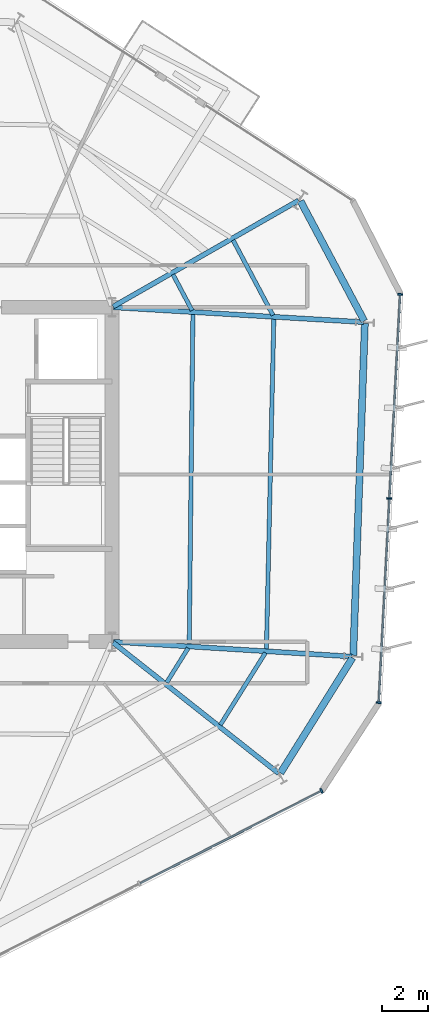
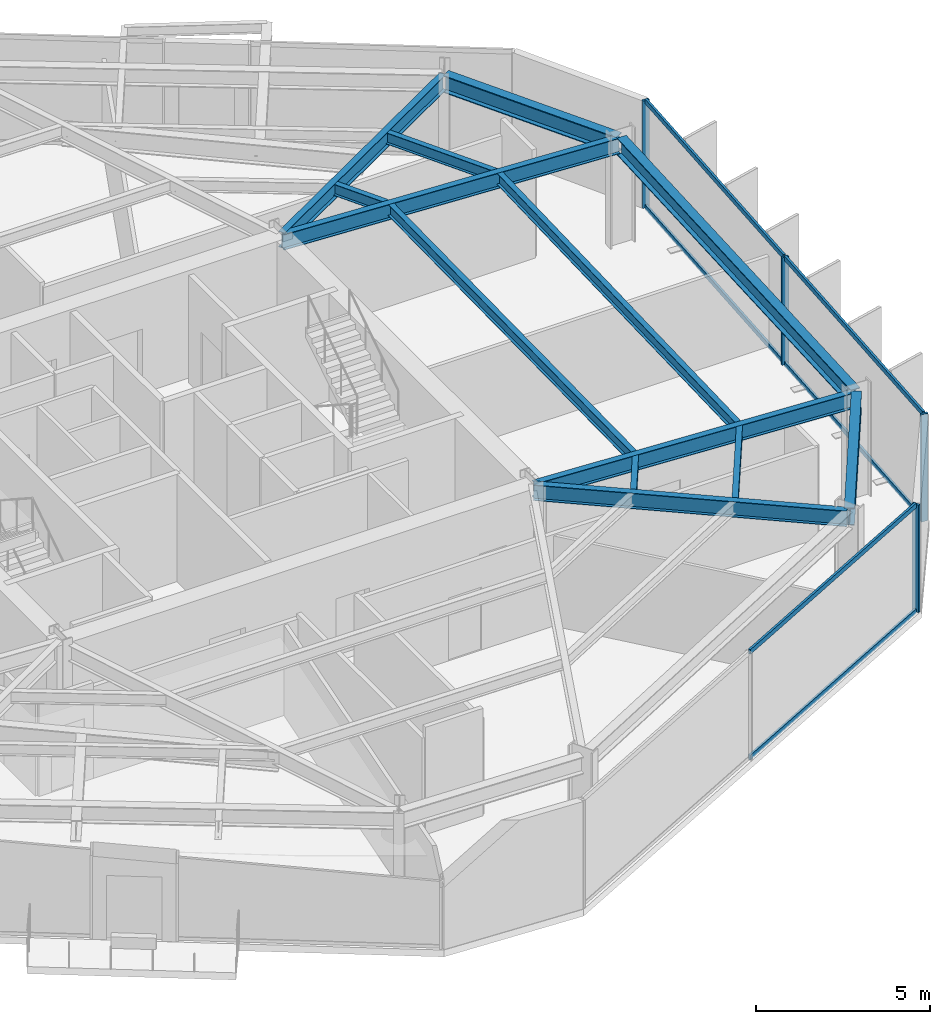
# One storey, part 4 of 10: 13 beams, 10 members, 2 elements without a shape of their own.
"""IFC4 building model written with IfcOpenShell, lengths in metres."""

from ifc_helpers import new_model, si_unit, direction, frame, origin, origin_2d, place, context, subcontext, project, spatial, rectangle, i_section, extrude, material, layer, layer_set, material_profile, profile_set, type_object, element, aggregate, save


model = new_model("IFC4")

# Units and contexts
model_context = context("Model", 3, precision=1e-05, world=origin(), true_north=direction((0.0, 1.0)))
body_context = subcontext(model_context, "Body", "Model", "MODEL_VIEW")
ifc_project = project(units=[si_unit("LENGTHUNIT", "METRE"), si_unit("AREAUNIT", "SQUARE_METRE"), si_unit("VOLUMEUNIT", "CUBIC_METRE"), si_unit("PLANEANGLEUNIT", "RADIAN"), si_unit("MASSUNIT", "GRAM", prefix="KILO")], contexts=[model_context])

# Site, building, storey
site_placement = place(None, origin())
site = spatial("IfcSite", under=ifc_project, at=site_placement, CompositionType="ELEMENT")
building_placement = place(site_placement, origin())
building = spatial("IfcBuilding", under=site, at=building_placement, Name="Kranzbogen Civic Tower", CompositionType="ELEMENT")
storey_placement = place(building_placement, frame((0.0, 0.0, 130.39990234375)))
storey = spatial("IfcBuildingStorey", under=building, at=storey_placement, Name="L31", CompositionType="ELEMENT", Elevation=130.39990234375)

# Curtain wall, member
ifc_material_1 = material(Name="Pale Anodised Aluminium", Category="aluminium")
ifc_layer = layer(ifc_material_1, 0.219970703125, Name="Pale Anodised Aluminium")
ifc_layer_set = layer_set([ifc_layer], Name="Pale Anodised Aluminium")
curtain_wall_type = type_object("IfcCurtainWallType", Name="Zone 2 Stick Curtain Wall System CW-03", PredefinedType="USERDEFINED", material=ifc_layer_set)
curtain_wall_1_placement = place(storey_placement, origin())
curtain_wall_1 = element("IfcCurtainWall", 1, at=curtain_wall_1_placement, inside=storey, type_object=curtain_wall_type, Name="L31 curtain wall CW-L31-F5", ObjectType="STICK CURTAIN WALL", PredefinedType="USERDEFINED")
ifc_material_profile_1 = material_profile(ifc_material_1, rectangle(XDim=0.074951171875, YDim=0.219970703125, at=origin_2d()), Name="ALU-M 75x220")
ifc_profile_set_1 = profile_set([ifc_material_profile_1], Name="Pale Anodised Aluminium")
member_type_1 = type_object("IfcMemberType", Name="Curtain Wall Mullion ALU-M 75x220", PredefinedType="MULLION", material=ifc_profile_set_1)
member_1_placement = place(storey_placement, frame((41.8212890625, 11.37939453125, 0.0), z_axis=(0.0, 0.0, 1.0), x_axis=(0.891017035872, 0.453969868809, 0.0)))
member_1 = element("IfcMember", 2, at=member_1_placement, type_object=member_type_1, Name="CW-03 mullion 3", PredefinedType="MULLION", context=body_context, shape_type="SweptSolid", body=[
    extrude(rectangle(XDim=0.074951171875, YDim=0.219970703125, at=origin_2d()), origin(), (0.0, 0.0, 1.0), 3.760009765625),
])

# Curtain wall, members
curtain_wall_2_placement = place(storey_placement, origin())
curtain_wall_2 = element("IfcCurtainWall", 3, at=curtain_wall_2_placement, inside=storey, type_object=curtain_wall_type, Name="L31 curtain wall CW-L31-F6", ObjectType="STICK CURTAIN WALL", PredefinedType="USERDEFINED")
member_2_placement = place(storey_placement, frame((44.28369140625, 15.174072265625, 0.0), z_axis=(0.0, 0.0, 1.0), x_axis=(0.052353856933, 0.998628596458, 0.0)))
member_2 = element("IfcMember", 4, at=member_2_placement, type_object=member_type_1, Name="CW-03 mullion 1", PredefinedType="MULLION", context=body_context, shape_type="SweptSolid", body=[
    extrude(rectangle(XDim=0.074951171875, YDim=0.219970703125, at=origin_2d()), origin(), (0.0, 0.0, 1.0), 3.760009765625),
])
member_3_placement = place(storey_placement, frame((44.744384765625, 23.966064453125, 0.0), z_axis=(0.0, 0.0, 1.0), x_axis=(0.052353856933, 0.998628596458, 0.0)))
member_3 = element("IfcMember", 5, at=member_3_placement, type_object=member_type_1, Name="CW-03 mullion 2", PredefinedType="MULLION", context=body_context, shape_type="SweptSolid", body=[
    extrude(rectangle(XDim=0.074951171875, YDim=0.219970703125, at=origin_2d()), origin(), (0.0, 0.0, 1.0), 3.760009765625),
])
member_4_placement = place(storey_placement, frame((45.205322265625, 32.758056640625, 0.0), z_axis=(0.0, 0.0, 1.0), x_axis=(0.052353856933, 0.998628596458, 0.0)))
member_4 = element("IfcMember", 6, at=member_4_placement, type_object=member_type_1, Name="CW-03 mullion 3", PredefinedType="MULLION", context=body_context, shape_type="SweptSolid", body=[
    extrude(rectangle(XDim=0.074951171875, YDim=0.219970703125, at=origin_2d()), origin(), (0.0, 0.0, 1.0), 3.760009765625),
])

# Member
ifc_material_profile_2 = material_profile(ifc_material_1, rectangle(XDim=0.074951171875, YDim=0.1650390625, at=origin_2d()), Name="ALU-T 75x165")
ifc_profile_set_2 = profile_set([ifc_material_profile_2], Name="Pale Anodised Aluminium")
member_type_2 = type_object("IfcMemberType", Name="Curtain Wall Transom ALU-T 75x165", PredefinedType="USERDEFINED", material=ifc_profile_set_2)
member_5_placement = place(storey_placement, frame((34.003173828125, 7.396240234375, 0.030029296875), z_axis=(0.891023302784, 0.453957568388, 0.0), x_axis=(-0.453957568388, 0.891023302784, 0.0)))
member_5 = element("IfcMember", 7, at=member_5_placement, type_object=member_type_2, Name="CW-03 transom 2.1", ObjectType="TRANSOM", PredefinedType="USERDEFINED", context=body_context, shape_type="SweptSolid", body=[
    extrude(rectangle(XDim=0.074951171875, YDim=0.1650390625, at=origin_2d()), origin(), (0.0, 0.0, 1.0), 8.744140625),
])

member_6_placement = place(storey_placement, frame((34.003173828125, 7.396240234375, 3.72998046875), z_axis=(0.891023302784, 0.453957568388, 0.0), x_axis=(-0.453957568388, 0.891023302784, 0.0)))
member_6 = element("IfcMember", 8, at=member_6_placement, type_object=member_type_2, Name="CW-03 transom 2.2", ObjectType="TRANSOM", PredefinedType="USERDEFINED", context=body_context, shape_type="SweptSolid", body=[
    extrude(rectangle(XDim=0.074951171875, YDim=0.1650390625, at=origin_2d()), origin(), (0.0, 0.0, 1.0), 8.744140625),
])

aggregate(curtain_wall_1, [member_1, member_5, member_6])

member_7_placement = place(storey_placement, frame((44.28515625, 15.203857421875, 0.030029296875), z_axis=(0.0523507402, 0.998628759851, 0.0), x_axis=(-0.998628759851, 0.0523507402, 0.0)))
member_7 = element("IfcMember", 9, at=member_7_placement, type_object=member_type_2, Name="CW-03 transom 1.1", ObjectType="TRANSOM", PredefinedType="USERDEFINED", context=body_context, shape_type="SweptSolid", body=[
    extrude(rectangle(XDim=0.074951171875, YDim=0.1650390625, at=origin_2d()), origin(), (0.0, 0.0, 1.0), 8.744140625),
])

member_8_placement = place(storey_placement, frame((44.28515625, 15.203857421875, 3.72998046875), z_axis=(0.0523507402, 0.998628759851, 0.0), x_axis=(-0.998628759851, 0.0523507402, 0.0)))
member_8 = element("IfcMember", 10, at=member_8_placement, type_object=member_type_2, Name="CW-03 transom 1.2", ObjectType="TRANSOM", PredefinedType="USERDEFINED", context=body_context, shape_type="SweptSolid", body=[
    extrude(rectangle(XDim=0.074951171875, YDim=0.1650390625, at=origin_2d()), origin(), (0.0, 0.0, 1.0), 8.744140625),
])

member_9_placement = place(storey_placement, frame((44.74609375, 23.995849609375, 0.030029296875), z_axis=(0.0523507402, 0.998628759851, 0.0), x_axis=(-0.998628759851, 0.0523507402, 0.0)))
member_9 = element("IfcMember", 11, at=member_9_placement, type_object=member_type_2, Name="CW-03 transom 2.1", ObjectType="TRANSOM", PredefinedType="USERDEFINED", context=body_context, shape_type="SweptSolid", body=[
    extrude(rectangle(XDim=0.074951171875, YDim=0.1650390625, at=origin_2d()), origin(), (0.0, 0.0, 1.0), 8.744140625),
])

member_10_placement = place(storey_placement, frame((44.74609375, 23.995849609375, 3.72998046875), z_axis=(0.0523507402, 0.998628759851, 0.0), x_axis=(-0.998628759851, 0.0523507402, 0.0)))
member_10 = element("IfcMember", 12, at=member_10_placement, type_object=member_type_2, Name="CW-03 transom 2.2", ObjectType="TRANSOM", PredefinedType="USERDEFINED", context=body_context, shape_type="SweptSolid", body=[
    extrude(rectangle(XDim=0.074951171875, YDim=0.1650390625, at=origin_2d()), origin(), (0.0, 0.0, 1.0), 8.744140625),
])

aggregate(curtain_wall_2, [member_2, member_3, member_4, member_7, member_8, member_9, member_10])

# Beams
ifc_material_2 = material(Name="Steel S355", Category="steel")
ifc_material_profile_3 = material_profile(ifc_material_2, i_section(OverallWidth=0.300048828125, OverallDepth=0.60009765625, WebThickness=0.015380859375, FlangeThickness=0.030029296875, at=origin_2d()), Name="HEB 600")
ifc_profile_set_3 = profile_set([ifc_material_profile_3], Name="Steel S355")
beam_type_1 = type_object("IfcBeamType", Name="Perimeter Tube Spandrel Beam HEB 600", PredefinedType="SPANDREL", material=ifc_profile_set_3)
beam_1_placement = place(storey_placement, frame((40.054931640625, 12.14306640625, 3.460205078125), z_axis=(0.529863902903, 0.848082687242, 0.0), x_axis=(-0.848082687242, 0.529863902903, 0.0)))
element("IfcBeam", 13, at=beam_1_placement, inside=storey, type_object=beam_type_1, Name="L31 perimeter spandrel beam 05", PredefinedType="SPANDREL", context=body_context, shape_type="SweptSolid", body=[
    extrude(i_section(OverallWidth=0.300048828125, OverallDepth=0.60009765625, WebThickness=0.015380859375, FlangeThickness=0.030029296875, at=origin_2d()), origin(), (0.0, 0.0, 1.0), 5.850830078125),
])
beam_2_placement = place(storey_placement, frame((43.18896484375, 17.216064453125, 3.460205078125), z_axis=(0.034924229103, 0.999389963038, 0.0), x_axis=(-0.999389963038, 0.034924229103, 0.0)))
element("IfcBeam", 14, at=beam_2_placement, inside=storey, type_object=beam_type_1, Name="L31 perimeter spandrel beam 06", PredefinedType="SPANDREL", context=body_context, shape_type="SweptSolid", body=[
    extrude(i_section(OverallWidth=0.300048828125, OverallDepth=0.60009765625, WebThickness=0.015380859375, FlangeThickness=0.030029296875, at=origin_2d()), origin(), (0.0, 0.0, 1.0), 14.288818359375),
])
beam_3_placement = place(storey_placement, frame((43.662109375, 31.60888671875, 3.460205078125), z_axis=(-0.469565926668, 0.882897412224, 0.0), x_axis=(-0.882897412224, -0.469565926668, 0.0)))
element("IfcBeam", 15, at=beam_3_placement, inside=storey, type_object=beam_type_1, Name="L31 perimeter spandrel beam 07", PredefinedType="SPANDREL", context=body_context, shape_type="SweptSolid", body=[
    extrude(i_section(OverallWidth=0.300048828125, OverallDepth=0.60009765625, WebThickness=0.015380859375, FlangeThickness=0.030029296875, at=origin_2d()), origin(), (0.0, 0.0, 1.0), 5.852294921875),
])
ifc_material_profile_4 = material_profile(ifc_material_2, i_section(OverallWidth=0.2099609375, OverallDepth=0.550048828125, WebThickness=0.010986328125, FlangeThickness=0.01708984375, at=origin_2d()), Name="IPE 550")
ifc_profile_set_4 = profile_set([ifc_material_profile_4], Name="Steel S355")
beam_type_2 = type_object("IfcBeamType", Name="Radial Tower Floor Girder IPE 550", PredefinedType="BEAM", material=ifc_profile_set_4)
beam_4_placement = place(storey_placement, frame((39.97607421875, 12.12890625, 3.485107421875), z_axis=(-0.78457455683, 0.620034486763, 0.0), x_axis=(-0.620034486763, -0.78457455683, 0.0)))
element("IfcBeam", 16, at=beam_4_placement, inside=storey, type_object=beam_type_2, Name="L31 radial floor girder 05", PredefinedType="BEAM", context=body_context, shape_type="SweptSolid", body=[
    extrude(i_section(OverallWidth=0.2099609375, OverallDepth=0.550048828125, WebThickness=0.010986328125, FlangeThickness=0.01708984375, at=origin_2d()), origin(), (0.0, 0.0, 1.0), 9.086669921875),
])
beam_5_placement = place(storey_placement, frame((43.126953125, 17.159912109375, 3.485107421875), z_axis=(-0.998086872961, 0.061827130147, 0.0), x_axis=(-0.061827130147, -0.998086872961, 0.0)))
element("IfcBeam", 17, at=beam_5_placement, inside=storey, type_object=beam_type_2, Name="L31 radial floor girder 06", PredefinedType="BEAM", context=body_context, shape_type="SweptSolid", body=[
    extrude(i_section(OverallWidth=0.2099609375, OverallDepth=0.550048828125, WebThickness=0.010986328125, FlangeThickness=0.01708984375, at=origin_2d()), origin(), (0.0, 0.0, 1.0), 10.28662109375),
])
beam_6_placement = place(storey_placement, frame((43.6298828125, 31.56005859375, 3.485107421875), z_axis=(-0.998260925387, 0.058950189528, 0.0), x_axis=(-0.058950189528, -0.998260925387, 0.0)))
element("IfcBeam", 18, at=beam_6_placement, inside=storey, type_object=beam_type_2, Name="L31 radial floor girder 07", PredefinedType="BEAM", context=body_context, shape_type="SweptSolid", body=[
    extrude(i_section(OverallWidth=0.2099609375, OverallDepth=0.550048828125, WebThickness=0.010986328125, FlangeThickness=0.01708984375, at=origin_2d()), origin(), (0.0, 0.0, 1.0), 10.78857421875),
])
beam_7_placement = place(storey_placement, frame((40.833984375, 36.799072265625, 3.485107421875), z_axis=(-0.867868812182, -0.496793442833, 0.0), x_axis=(0.496793442833, -0.867868812182, 0.0)))
element("IfcBeam", 19, at=beam_7_placement, inside=storey, type_object=beam_type_2, Name="L31 radial floor girder 08", PredefinedType="BEAM", context=body_context, shape_type="SweptSolid", body=[
    extrude(i_section(OverallWidth=0.2099609375, OverallDepth=0.550048828125, WebThickness=0.010986328125, FlangeThickness=0.01708984375, at=origin_2d()), origin(), (0.0, 0.0, 1.0), 9.197265625),
])
ifc_material_profile_5 = material_profile(ifc_material_2, i_section(OverallWidth=0.179931640625, OverallDepth=0.39990234375, WebThickness=0.008544921875, FlangeThickness=0.013427734375, at=origin_2d()), Name="IPE 400")
ifc_profile_set_5 = profile_set([ifc_material_profile_5], Name="Steel S355")
beam_type_3 = type_object("IfcBeamType", Name="Secondary Composite Floor Joist IPE 400", PredefinedType="JOIST", material=ifc_profile_set_5)
beam_8_placement = place(storey_placement, frame((37.465087890625, 14.215087890625, 3.56005859375), z_axis=(0.529867065107, 0.848080711557, 0.0), x_axis=(-0.848080711557, 0.529867065107, 0.0)))
element("IfcBeam", 20, at=beam_8_placement, inside=storey, type_object=beam_type_3, Name="L31 secondary floor joist 1.05", PredefinedType="JOIST", context=body_context, shape_type="SweptSolid", body=[
    extrude(i_section(OverallWidth=0.179931640625, OverallDepth=0.39990234375, WebThickness=0.008544921875, FlangeThickness=0.013427734375, at=origin_2d()), origin(), (0.0, 0.0, 1.0), 3.6611328125),
])
beam_9_placement = place(storey_placement, frame((35.154052734375, 16.041015625, 3.56005859375), z_axis=(0.529572623603, 0.84826460278, 0.0), x_axis=(-0.84826460278, 0.529572623603, 0.0)))
element("IfcBeam", 21, at=beam_9_placement, inside=storey, type_object=beam_type_3, Name="L31 secondary floor joist 2.05", PredefinedType="JOIST", context=body_context, shape_type="SweptSolid", body=[
    extrude(i_section(OverallWidth=0.179931640625, OverallDepth=0.39990234375, WebThickness=0.008544921875, FlangeThickness=0.013427734375, at=origin_2d()), origin(), (0.0, 0.0, 1.0), 1.75048828125),
])
beam_10_placement = place(storey_placement, frame((39.448974609375, 17.468017578125, 3.56005859375), z_axis=(0.022402523442, 0.999749031979, 0.0), x_axis=(-0.999749031979, 0.022402523442, 0.0)))
element("IfcBeam", 22, at=beam_10_placement, inside=storey, type_object=beam_type_3, Name="L31 secondary floor joist 1.06", PredefinedType="JOIST", context=body_context, shape_type="SweptSolid", body=[
    extrude(i_section(OverallWidth=0.179931640625, OverallDepth=0.39990234375, WebThickness=0.008544921875, FlangeThickness=0.013427734375, at=origin_2d()), origin(), (0.0, 0.0, 1.0), 14.24365234375),
])
beam_11_placement = place(storey_placement, frame((36.125, 17.674072265625, 3.56005859375), z_axis=(0.011160516663, 0.999937719494, 0.0), x_axis=(-0.999937719494, 0.011160516663, 0.0)))
element("IfcBeam", 23, at=beam_11_placement, inside=storey, type_object=beam_type_3, Name="L31 secondary floor joist 2.06", PredefinedType="JOIST", context=body_context, shape_type="SweptSolid", body=[
    extrude(i_section(OverallWidth=0.179931640625, OverallDepth=0.39990234375, WebThickness=0.008544921875, FlangeThickness=0.013427734375, at=origin_2d()), origin(), (0.0, 0.0, 1.0), 14.240966796875),
])
beam_12_placement = place(storey_placement, frame((39.73193359375, 31.85791015625, 3.56005859375), z_axis=(-0.469338791783, 0.88301817565, 0.0), x_axis=(-0.88301817565, -0.469338791783, 0.0)))
element("IfcBeam", 24, at=beam_12_placement, inside=storey, type_object=beam_type_3, Name="L31 secondary floor joist 1.07", PredefinedType="JOIST", context=body_context, shape_type="SweptSolid", body=[
    extrude(i_section(OverallWidth=0.179931640625, OverallDepth=0.39990234375, WebThickness=0.008544921875, FlangeThickness=0.013427734375, at=origin_2d()), origin(), (0.0, 0.0, 1.0), 3.66259765625),
])
beam_13_placement = place(storey_placement, frame((36.2470703125, 32.06494140625, 3.56005859375), z_axis=(-0.46943723363, 0.882965845139, 0.0), x_axis=(-0.882965845139, -0.46943723363, 0.0)))
element("IfcBeam", 25, at=beam_13_placement, inside=storey, type_object=beam_type_3, Name="L31 secondary floor joist 2.07", PredefinedType="JOIST", context=body_context, shape_type="SweptSolid", body=[
    extrude(i_section(OverallWidth=0.179931640625, OverallDepth=0.39990234375, WebThickness=0.008544921875, FlangeThickness=0.013427734375, at=origin_2d()), origin(), (0.0, 0.0, 1.0), 1.7509765625),
])

save(model, "model.ifc")
